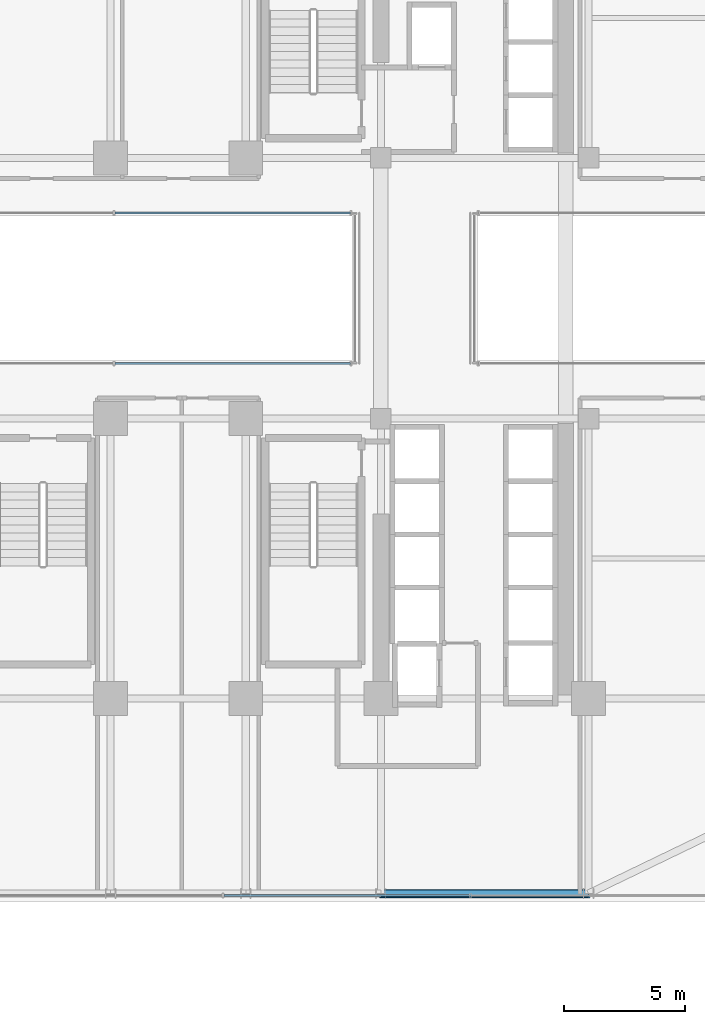
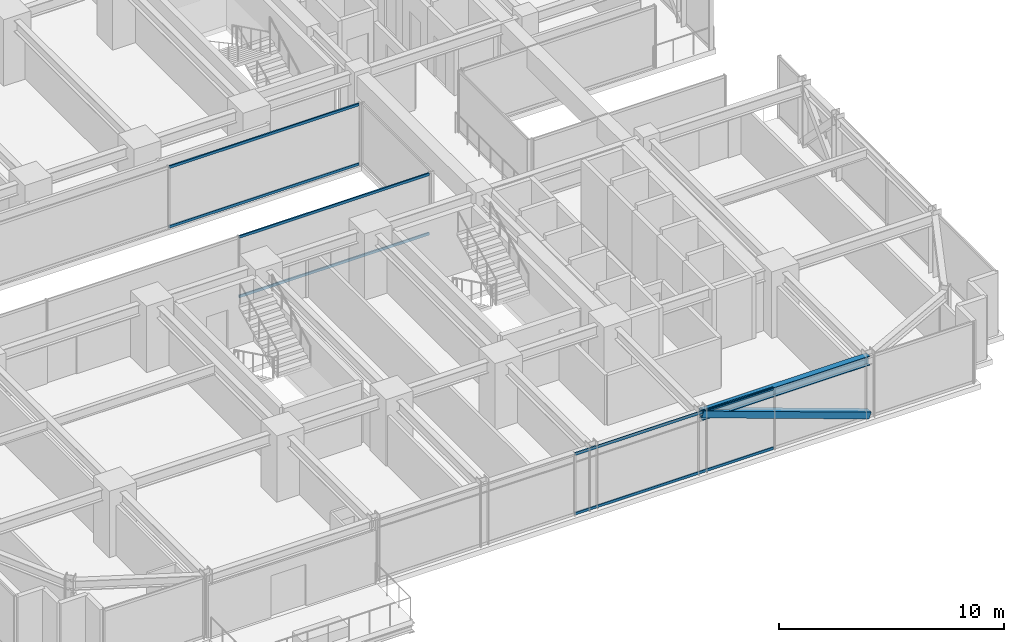
# One storey, part 11 of 35: 7 members, 1 beam, 3 elements without a shape of their own.
"""IFC4 building model written with IfcOpenShell, lengths in metres."""

import ifcopenshell
import ifcopenshell.guid

model = None  # the IFC model being written
_history = None  # IfcOwnerHistory: only IFC2X3 demands one
_inside = {}  # id of a spatial element -> (the spatial element, [elements in it])
_under = {}  # id of a project, library or spatial element -> (it, [spatial elements below it])
_declared = {}  # id of a project -> (the project, [libraries it declares])
_typed = {}  # id of a type object -> (the type object, [elements of that type])
_made_of = {}  # id of a material, layer set ... -> (it, [elements and type objects made of it])


def new_model(schema):
    """Start an empty IFC model of exactly this schema.

    Asked for "IFC4X3", IfcOpenShell would pick the latest addendum, in which some entities
    have other attributes; the version numbers below select the first issue.
    IFC2X3 requires an IfcOwnerHistory on every rooted entity: one is made here for all.
    """
    global model, _history
    if schema == "IFC4X3":
        model = ifcopenshell.file(schema_version=(4, 3, 0, 0))
    else:
        model = ifcopenshell.file(schema=schema)
    _inside.clear()
    _under.clear()
    _declared.clear()
    _typed.clear()
    _made_of.clear()
    _history = None
    if model.schema == "IFC2X3":
        org = make("IfcOrganization", Name="unknown")
        user = make(
            "IfcPersonAndOrganization",
            ThePerson=make("IfcPerson", FamilyName="unknown"),
            TheOrganization=org,
        )
        app = make(
            "IfcApplication",
            ApplicationDeveloper=org,
            Version="unknown",
            ApplicationFullName="unknown",
            ApplicationIdentifier="unknown",
        )
        _history = make(
            "IfcOwnerHistory",
            OwningUser=user,
            OwningApplication=app,
            ChangeAction="ADDED",
            CreationDate=0,
        )
    return model


def make(cls, **values):
    """One entity of the class cls with the attributes given. An attribute that is None is left unset."""
    return model.create_entity(
        cls, **{name: value for name, value in values.items() if value is not None}
    )


def rooted(cls, **values):
    """An entity with a GlobalId (a new one), such as an element, a storey or a relation."""
    return make(cls, GlobalId=ifcopenshell.guid.new(), OwnerHistory=_history, **values)


def si_unit(unit_type, name, prefix=None):
    """IfcSIUnit, for example si_unit("LENGTHUNIT", "METRE", prefix="MILLI")."""
    return make("IfcSIUnit", UnitType=unit_type, Prefix=prefix, Name=name)


def assignment(units):
    """IfcUnitAssignment: the units of a project."""
    return None if units is None else make("IfcUnitAssignment", Units=units)


def point(xyz):
    """IfcCartesianPoint."""
    return None if xyz is None else make("IfcCartesianPoint", Coordinates=xyz)


def direction(xyz):
    """IfcDirection."""
    return None if xyz is None else make("IfcDirection", DirectionRatios=xyz)


def frame(location, z_axis=None, x_axis=None):
    """IfcAxis2Placement3D, a coordinate frame: its origin and axes. An axis left out is left unset."""
    return make(
        "IfcAxis2Placement3D",
        Location=point(location),
        Axis=direction(z_axis),
        RefDirection=direction(x_axis),
    )


def frame_2d(location, x_axis=None):
    """IfcAxis2Placement2D, a coordinate frame in the plane: its origin and x axis."""
    return make(
        "IfcAxis2Placement2D", Location=point(location), RefDirection=direction(x_axis)
    )


def origin():
    """The frame at (0, 0, 0) with its axes left unset."""
    return frame((0.0, 0.0, 0.0))


def origin_2d():
    """The frame at (0, 0) in the plane with its x axis left unset."""
    return frame_2d((0.0, 0.0))


def place(relative_to, where):
    """IfcLocalPlacement: puts the frame where relative to a parent placement (None: the world)."""
    return make(
        "IfcLocalPlacement", PlacementRelTo=relative_to, RelativePlacement=where
    )


def context(
    kind, dimensions, precision=None, world=None, true_north=None, identifier=None
):
    """IfcGeometricRepresentationContext, for example the 3D "Model" context."""
    return make(
        "IfcGeometricRepresentationContext",
        ContextIdentifier=identifier,
        ContextType=kind,
        CoordinateSpaceDimension=dimensions,
        Precision=precision,
        WorldCoordinateSystem=world,
        TrueNorth=true_north,
    )


def subcontext(parent, identifier, kind, view, scale=None):
    """IfcGeometricRepresentationSubContext, for example "Body" below "Model"."""
    return make(
        "IfcGeometricRepresentationSubContext",
        ContextIdentifier=identifier,
        ContextType=kind,
        ParentContext=parent,
        TargetScale=scale,
        TargetView=view,
    )


def project(units=None, contexts=None):
    """IfcProject with its units and contexts."""
    return rooted(
        "IfcProject",
        Name="project",
        RepresentationContexts=contexts,
        UnitsInContext=assignment(units),
    )


def spatial(cls, under=None, at=None, **own):
    """A site, building, storey or space (cls), placed at a placement, below another one or the project."""
    s = rooted(cls, ObjectPlacement=at, **own)
    if under is not None:
        _under.setdefault(under.id(), (under, []))[1].append(s)
    return s


def profile(cls, at=None, kind="AREA", **sizes):
    """A parametric profile (cls). Its sizes go by their IFC names, for example OverallWidth=200.0."""
    return make(cls, ProfileType=kind, Position=at, **sizes)


def hollow_rectangle(**sizes):
    """IfcRectangleHollowProfileDef."""
    return profile("IfcRectangleHollowProfileDef", **sizes)


def i_section(**sizes):
    """IfcIShapeProfileDef."""
    return profile("IfcIShapeProfileDef", **sizes)


def extrude(swept, where, along, depth):
    """IfcExtrudedAreaSolid: the profile swept, set in the frame where, extruded along a direction by depth."""
    return make(
        "IfcExtrudedAreaSolid",
        SweptArea=swept,
        Position=where,
        ExtrudedDirection=direction(along),
        Depth=depth,
    )


def shape(context_of_items, identifier, shape_type, items):
    """IfcShapeRepresentation: the items that make up one representation, for example the "Body"."""
    return make(
        "IfcShapeRepresentation",
        ContextOfItems=context_of_items,
        RepresentationIdentifier=identifier,
        RepresentationType=shape_type,
        Items=items,
    )


def source(mapping_origin, context_of_items, identifier, shape_type, items):
    """IfcRepresentationMap: a shape defined once, which mapped items show again and again."""
    return make(
        "IfcRepresentationMap",
        MappingOrigin=mapping_origin,
        MappedRepresentation=shape(context_of_items, identifier, shape_type, items),
    )


def transform(
    local_origin,
    x_axis=None,
    y_axis=None,
    z_axis=None,
    scale=None,
    scale2=None,
    scale3=None,
    uniform=True,
):
    """IfcCartesianTransformationOperator3D, or its non-uniform kind. x_axis, y_axis, z_axis: its Axis1, 2, 3."""
    if uniform:
        return make(
            "IfcCartesianTransformationOperator3D",
            Axis1=direction(x_axis),
            Axis2=direction(y_axis),
            LocalOrigin=point(local_origin),
            Scale=scale,
            Axis3=direction(z_axis),
        )
    return make(
        "IfcCartesianTransformationOperator3DnonUniform",
        Axis1=direction(x_axis),
        Axis2=direction(y_axis),
        LocalOrigin=point(local_origin),
        Scale=scale,
        Axis3=direction(z_axis),
        Scale2=scale2,
        Scale3=scale3,
    )


def mapped(mapping_source, mapping_target):
    """IfcMappedItem: shows the shape of a source again, moved by a transform."""
    return make(
        "IfcMappedItem", MappingSource=mapping_source, MappingTarget=mapping_target
    )


def material(Name=None, Category=None):
    """IfcMaterial."""
    return make("IfcMaterial", Name=Name, Category=Category)


def material_profile(
    of_material, cross_section, Name=None, Category=None, Priority=None
):
    """IfcMaterialProfile: a cross section and its material."""
    return make(
        "IfcMaterialProfile",
        Name=Name,
        Material=of_material,
        Profile=cross_section,
        Priority=Priority,
        Category=Category,
    )


def profile_set(profiles, Name=None, composite=None):
    """IfcMaterialProfileSet."""
    return make(
        "IfcMaterialProfileSet",
        Name=Name,
        MaterialProfiles=profiles,
        CompositeProfile=composite,
    )


def made_of(thing, what):
    """Note that an element or type object is made of a material, layer set ...; save() writes the relation."""
    if what is not None:
        _made_of.setdefault(what.id(), (what, []))[1].append(thing)
    return thing


def type_object(cls, material=None, **own):
    """A type object (cls), such as IfcWallType, which elements share."""
    return made_of(rooted(cls, **own), material)


def element(
    cls,
    number,
    at=None,
    inside=None,
    cuts=None,
    type_object=None,
    material=None,
    context=None,
    identifier="Body",
    shape_type=None,
    held_by="IfcProductDefinitionShape",
    body=None,
    shapes=None,
    **own,
):
    """One element of the class cls, such as IfcWall. Its Tag is "e" and its number.

    at: its placement. inside: the storey or other place that contains it. cuts: it is an
    opening in that element (IfcRelVoidsElement). A single representation is given by context,
    identifier, shape_type and body (its items); several are given by shapes. held_by: the class
    of the entity that holds the representations. save() writes the other relations.
    """
    e = rooted(cls, Tag="e%d" % number, ObjectPlacement=at, **own)
    if body is not None:
        shapes = [shape(context, identifier, shape_type, body)]
    if shapes is not None:
        e.Representation = make(held_by, Representations=shapes)
    if inside is not None:
        _inside.setdefault(inside.id(), (inside, []))[1].append(e)
    if cuts is not None:
        rooted(
            "IfcRelVoidsElement", RelatingBuildingElement=cuts, RelatedOpeningElement=e
        )
    if type_object is not None:
        _typed.setdefault(type_object.id(), (type_object, []))[1].append(e)
    return made_of(e, material)


def aggregate(whole, parts):
    """IfcRelAggregates: a whole, such as a stair, and the parts it consists of."""
    return rooted("IfcRelAggregates", RelatingObject=whole, RelatedObjects=parts)


def save(model, path):
    """Write the relations noted so far, then the file.

    IfcRelAggregates (storeys below a building ...), IfcRelContainedInSpatialStructure (elements
    in a storey), IfcRelDefinesByType, IfcRelAssociatesMaterial and IfcRelDeclares: one each for
    every whole, place, type object, material and project.
    """
    for whole, parts in _under.values():
        aggregate(whole, parts)
    for where, things in _inside.values():
        rooted(
            "IfcRelContainedInSpatialStructure",
            RelatedElements=things,
            RelatingStructure=where,
        )
    for kind, things in _typed.values():
        rooted("IfcRelDefinesByType", RelatedObjects=things, RelatingType=kind)
    for what, things in _made_of.values():
        rooted("IfcRelAssociatesMaterial", RelatedObjects=things, RelatingMaterial=what)
    for by, libraries in _declared.values():
        rooted("IfcRelDeclares", RelatingContext=by, RelatedDefinitions=libraries)
    model.write(path)


model = new_model("IFC4")

# Units and contexts
model_context = context("Model", 3, precision=1e-05, world=origin(), true_north=direction((0.0, 1.0)))
body_context = subcontext(model_context, "Body", "Model", "MODEL_VIEW")
ifc_project = project(units=[si_unit("LENGTHUNIT", "METRE"), si_unit("AREAUNIT", "SQUARE_METRE"), si_unit("VOLUMEUNIT", "CUBIC_METRE"), si_unit("PLANEANGLEUNIT", "RADIAN"), si_unit("MASSUNIT", "GRAM", prefix="KILO")], contexts=[model_context])

# Site, building, storey
site_placement = place(None, origin())
site = spatial("IfcSite", under=ifc_project, at=site_placement, CompositionType="ELEMENT")
building_placement = place(site_placement, origin())
building = spatial("IfcBuilding", under=site, at=building_placement, Name="Nahalor Promenade Grand Hotel", CompositionType="ELEMENT")
storey_placement = place(building_placement, frame((0.0, 0.0, 43.35009765625)))
storey = spatial("IfcBuildingStorey", under=building, at=storey_placement, Name="L09", CompositionType="ELEMENT", Elevation=43.35009765625)

# Beam
ifc_material_1 = material(Name="Steel S355JR", Category="steel")
ifc_material_profile_1 = material_profile(ifc_material_1, i_section(OverallWidth=0.3, OverallDepth=0.5, WebThickness=0.0145, FlangeThickness=0.028, at=origin_2d()), Name="HEB 500")
ifc_profile_set_1 = profile_set([ifc_material_profile_1], Name="Steel S355JR")
beam_type = type_object("IfcBeamType", Name="Beam-Spandrel-HEB500", PredefinedType="SPANDREL", material=ifc_profile_set_1)
shared_shape_1 = source(origin(), body_context, "Body", "SweptSolid", [
    extrude(i_section(OverallWidth=0.3, OverallDepth=0.5, WebThickness=0.0145, FlangeThickness=0.028, at=origin_2d()), origin(), (0.0, 0.0, 1.0), 8.60009765625),
])
beam_placement = place(storey_placement, frame((8.39990234375, -25.080078125, 3.119873046875), z_axis=(1.0, 0.0, 0.0), x_axis=(0.0, 1.0, 0.0)))
element("IfcBeam", 1, at=beam_placement, inside=storey, type_object=beam_type, Name="BM-L09-SP-S-4", PredefinedType="SPANDREL", context=body_context, shape_type="MappedRepresentation", body=[
    mapped(shared_shape_1, transform((0.0, 0.0, 0.0), scale=1.0)),
])

# Member
ifc_material_profile_2 = material_profile(ifc_material_1, hollow_rectangle(XDim=0.35, YDim=0.35, WallThickness=0.02, at=origin_2d()), Name="SHS 350x350x20")
ifc_profile_set_2 = profile_set([ifc_material_profile_2], Name="Steel S355JR")
member_type_1 = type_object("IfcMemberType", Name="Mem-VoidBrace-SHS350", PredefinedType="BRACE", material=ifc_profile_set_2)
shared_shape_2 = source(origin(), body_context, "Body", "SweptSolid", [
    extrude(hollow_rectangle(XDim=0.35, YDim=0.35, WallThickness=0.02, at=origin_2d()), origin(), (0.0, 0.0, 1.0), 9.131591796875),
])
member_1_placement = place(storey_placement, frame((17.0, -25.080078125, 0.14990234375), z_axis=(-0.941790292179, 0.0, 0.336200900589), x_axis=(0.0, -1.0, 0.0)))
element("IfcMember", 2, at=member_1_placement, inside=storey, type_object=member_type_1, Name="EXO-L09-S-1", PredefinedType="BRACE", context=body_context, shape_type="MappedRepresentation", body=[
    mapped(shared_shape_2, transform((0.0, 0.0, 0.0), scale=1.0)),
])

# Curtain wall, members
ifc_material_2 = material(Name="Anodised Bronze Aluminium EN AW-6063 T6", Category="aluminium")
curtain_wall_type = type_object("IfcCurtainWallType", Name="CW3 Elliptical-Void Collar Unitised Curtain Wall", PredefinedType="USERDEFINED", material=ifc_material_2)
curtain_wall_1_placement = place(storey_placement, origin())
curtain_wall_1 = element("IfcCurtainWall", 3, at=curtain_wall_1_placement, inside=storey, type_object=curtain_wall_type, Name="L09 Curtain Wall CW-L09-S-3", ObjectType="UNITISED_CURTAIN_WALL", PredefinedType="USERDEFINED")
ifc_material_profile_3 = material_profile(ifc_material_2, hollow_rectangle(XDim=0.07, YDim=0.14, WallThickness=0.004, at=origin_2d()), Name="CWT 70x140x4")
ifc_profile_set_3 = profile_set([ifc_material_profile_3], Name="Anodised Bronze Aluminium EN AW-6063 T6")
member_type_2 = type_object("IfcMemberType", Name="CWT3 Void Collar Transom 70x140", PredefinedType="USERDEFINED", material=ifc_profile_set_3)
shared_shape_3 = source(origin(), body_context, "Body", "SweptSolid", [
    extrude(hollow_rectangle(XDim=0.07, YDim=0.14, WallThickness=0.004, at=origin_2d()), origin(), (0.0, 0.0, 1.0), 10.183349609375),
])
member_2_placement = place(storey_placement, frame((1.888427734375, -25.159912109375, 0.06982421875), z_axis=(1.0, 0.0, 0.0), x_axis=(0.0, 1.0, 0.0)))
member_2 = element("IfcMember", 4, at=member_2_placement, type_object=member_type_2, Name="CW-L09-S-3 Transom 1-0", ObjectType="TRANSOM", PredefinedType="USERDEFINED", context=body_context, shape_type="MappedRepresentation", body=[
    mapped(shared_shape_3, transform((0.0, 0.0, 0.0), scale=1.0)),
])
member_3_placement = place(storey_placement, frame((1.888427734375, -25.159912109375, 3.2998046875), z_axis=(1.0, 0.0, 0.0), x_axis=(0.0, 1.0, 0.0)))
member_3 = element("IfcMember", 5, at=member_3_placement, type_object=member_type_2, Name="CW-L09-S-3 Transom 1-1", ObjectType="TRANSOM", PredefinedType="USERDEFINED", context=body_context, shape_type="MappedRepresentation", body=[
    mapped(shared_shape_3, transform((0.0, 0.0, 0.0), scale=1.0)),
])
aggregate(curtain_wall_1, [member_2, member_3])

curtain_wall_2_placement = place(storey_placement, origin())
curtain_wall_2 = element("IfcCurtainWall", 6, at=curtain_wall_2_placement, inside=storey, type_object=curtain_wall_type, Name="L09 Curtain Wall CW-L09-VOID-WS1", ObjectType="UNITISED_CURTAIN_WALL", PredefinedType="USERDEFINED")
shared_shape_4 = source(origin(), body_context, "Body", "SweptSolid", [
    extrude(hollow_rectangle(XDim=0.07, YDim=0.14, WallThickness=0.004, at=origin_2d()), origin(), (0.0, 0.0, 1.0), 9.748291015625),
])
member_4_placement = place(storey_placement, frame((-2.618408203125, -3.118896484375, 0.06982421875), z_axis=(1.0, 0.0, 0.0), x_axis=(0.0, 1.0, 0.0)))
member_4 = element("IfcMember", 7, at=member_4_placement, type_object=member_type_2, Name="CW-L09-VOID-WS1 Transom 2-0", ObjectType="TRANSOM", PredefinedType="USERDEFINED", context=body_context, shape_type="MappedRepresentation", body=[
    mapped(shared_shape_4, transform((0.0, 0.0, 0.0), scale=1.0)),
])
member_5_placement = place(storey_placement, frame((-2.618408203125, -3.118896484375, 3.2998046875), z_axis=(1.0, 0.0, 0.0), x_axis=(0.0, 1.0, 0.0)))
member_5 = element("IfcMember", 8, at=member_5_placement, type_object=member_type_2, Name="CW-L09-VOID-WS1 Transom 2-1", ObjectType="TRANSOM", PredefinedType="USERDEFINED", context=body_context, shape_type="MappedRepresentation", body=[
    mapped(shared_shape_4, transform((0.0, 0.0, 0.0), scale=1.0)),
])
aggregate(curtain_wall_2, [member_4, member_5])

curtain_wall_3_placement = place(storey_placement, origin())
curtain_wall_3 = element("IfcCurtainWall", 9, at=curtain_wall_3_placement, inside=storey, type_object=curtain_wall_type, Name="L09 Curtain Wall CW-L09-VOID-WN1", ObjectType="UNITISED_CURTAIN_WALL", PredefinedType="USERDEFINED")
member_6_placement = place(storey_placement, frame((-2.618408203125, 3.118896484375, 0.06982421875), z_axis=(1.0, 0.0, 0.0), x_axis=(0.0, 1.0, 0.0)))
member_6 = element("IfcMember", 10, at=member_6_placement, type_object=member_type_2, Name="CW-L09-VOID-WN1 Transom 2-0", ObjectType="TRANSOM", PredefinedType="USERDEFINED", context=body_context, shape_type="MappedRepresentation", body=[
    mapped(shared_shape_4, transform((0.0, 0.0, 0.0), scale=1.0)),
])
member_7_placement = place(storey_placement, frame((-2.618408203125, 3.118896484375, 3.2998046875), z_axis=(1.0, 0.0, 0.0), x_axis=(0.0, 1.0, 0.0)))
member_7 = element("IfcMember", 11, at=member_7_placement, type_object=member_type_2, Name="CW-L09-VOID-WN1 Transom 2-1", ObjectType="TRANSOM", PredefinedType="USERDEFINED", context=body_context, shape_type="MappedRepresentation", body=[
    mapped(shared_shape_4, transform((0.0, 0.0, 0.0), scale=1.0)),
])
aggregate(curtain_wall_3, [member_6, member_7])

save(model, "model.ifc")
